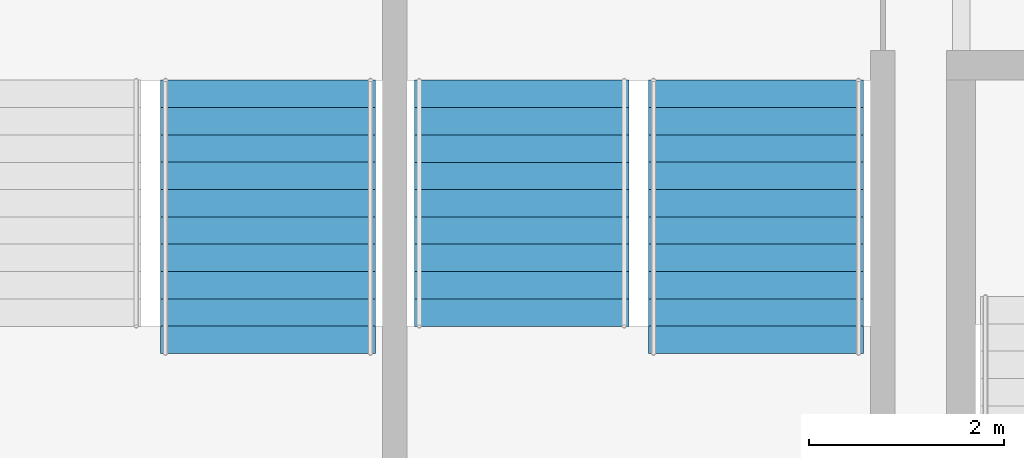
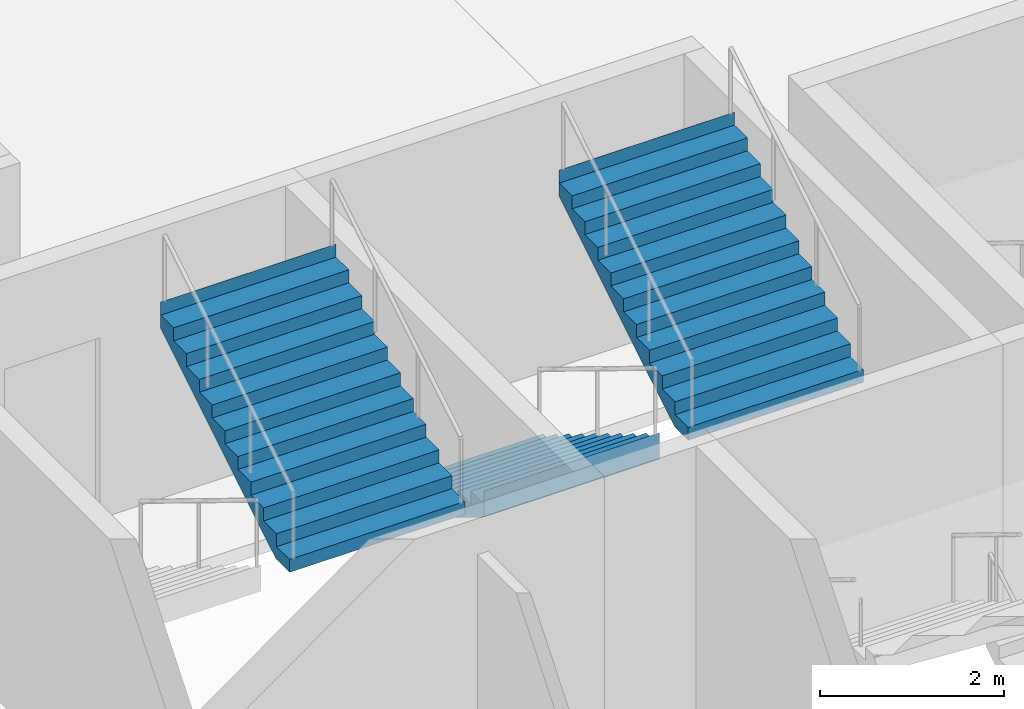
# One storey, part 93 of 143: 3 stair flights, 2 elements without a shape of their own.
"""IFC4 building model written with IfcOpenShell, lengths in metres."""

from ifc_helpers import new_model, si_unit, direction, frame, origin, place, context, subcontext, project, spatial, polyline, outline, extrude, material, type_object, element, aggregate, save


model = new_model("IFC4")

# Units and contexts
model_context = context("Model", 3, precision=1e-05, world=origin(), true_north=direction((0.0, 1.0)))
body_context = subcontext(model_context, "Body", "Model", "MODEL_VIEW")
ifc_project = project(units=[si_unit("LENGTHUNIT", "METRE"), si_unit("AREAUNIT", "SQUARE_METRE"), si_unit("VOLUMEUNIT", "CUBIC_METRE"), si_unit("PLANEANGLEUNIT", "RADIAN"), si_unit("MASSUNIT", "GRAM", prefix="KILO")], contexts=[model_context])

# Site, building, storey
site_placement = place(None, origin())
site = spatial("IfcSite", under=ifc_project, at=site_placement, CompositionType="ELEMENT")
building_placement = place(site_placement, origin())
building = spatial("IfcBuilding", under=site, at=building_placement, Name="Kupolbacken Congress Centre", CompositionType="ELEMENT")
storey_placement = place(building_placement, frame((0.0, 0.0, 7.199951171875)))
storey = spatial("IfcBuildingStorey", under=building, at=storey_placement, Name="L02", CompositionType="ELEMENT", Elevation=7.199951171875)

# Stair, stair flight
ifc_material_1 = material(Name="Concrete C30/37", Category="concrete")
stair_type = type_object("IfcStairType", Name="ST13 stair 2200", PredefinedType="TWO_STRAIGHT_RUN_STAIR", material=ifc_material_1)
stair_1_placement = place(storey_placement, origin())
stair_1 = element("IfcStair", 1, at=stair_1_placement, inside=storey, type_object=stair_type, Name="C/stair/PS2SE/L02", PredefinedType="NOTDEFINED")
ifc_material_2 = material(Name="Concrete C30/37", Category="concrete")
stair_flight_type_1 = type_object("IfcStairFlightType", Name="FL13 stair flight 2200 x 10 risers", PredefinedType="STRAIGHT", material=ifc_material_2)
stair_flight_1_placement = place(storey_placement, frame((74.699951171875, 55.544921875, 0.0), z_axis=(0.0, 0.0, 1.0), x_axis=(0.0, -1.0, 0.0)))
stair_flight_1 = element("IfcStairFlight", 2, at=stair_flight_1_placement, type_object=stair_flight_type_1, Name="PS2SE flight 1", NumberOfRisers=10, NumberOfTreads=9, PredefinedType="STRAIGHT", RiserHeight=0.171428571, TreadLength=0.28, context=body_context, shape_type="SweptSolid", body=[
    extrude(outline(polyline([(0.0, 0.0), (0.0, 0.0009765625), (0.0, 0.002197265625), (0.0, 0.003173828125), (0.0, 0.004150390625), (0.0, 0.00537109375), (0.0, 0.00634765625), (0.0, 0.007568359375), (0.0, 0.008544921875), (0.0, 0.009521484375), (0.0, 0.0107421875), (0.0, 0.01171875), (0.0, 0.0126953125), (0.0, 0.013916015625), (0.0, 0.014892578125), (0.0, 0.015869140625), (0.0, 0.01708984375), (0.0, 0.01806640625), (0.0, 0.019287109375), (0.0, 0.020263671875), (0.0, 0.021240234375), (0.0, 0.0224609375), (0.0, 0.0234375), (0.0, 0.0244140625), (0.0, 0.025634765625), (0.0, 0.026611328125), (0.0, 0.027587890625), (0.0, 0.02880859375), (0.0, 0.02978515625), (0.0, 0.03076171875), (0.0, 0.031982421875), (0.0, 0.032958984375), (0.0, 0.0341796875), (0.0, 0.03515625), (0.0, 0.0361328125), (0.0, 0.037353515625), (0.0, 0.038330078125), (0.0, 0.039306640625), (0.0, 0.04052734375), (0.0, 0.04150390625), (0.0, 0.04248046875), (0.0, 0.043701171875), (0.0, 0.044677734375), (0.0, 0.0458984375), (0.0, 0.046875), (0.0, 0.0478515625), (0.0, 0.049072265625), (0.0, 0.050048828125), (0.0, 0.051025390625), (0.0, 0.05224609375), (0.0, 0.05322265625), (0.0, 0.05419921875), (0.0, 0.055419921875), (0.0, 0.056396484375), (0.0, 0.0576171875), (0.0, 0.05859375), (0.0, 0.0595703125), (0.0, 0.060791015625), (0.0, 0.061767578125), (0.0, 0.062744140625), (0.0, 0.06396484375), (0.0, 0.06494140625), (0.0, 0.06591796875), (0.0, 0.067138671875), (0.0, 0.068115234375), (0.0, 0.069091796875), (0.0, 0.0703125), (0.0, 0.0712890625), (0.0, 0.072509765625), (0.0, 0.073486328125), (0.0, 0.074462890625), (0.0, 0.07568359375), (0.0, 0.07666015625), (0.0, 0.07763671875), (0.0, 0.078857421875), (0.0, 0.079833984375), (0.0, 0.080810546875), (0.0, 0.08203125), (0.0, 0.0830078125), (0.0, 0.084228515625), (0.0, 0.085205078125), (0.0, 0.086181640625), (0.0, 0.08740234375), (0.0, 0.08837890625), (0.0, 0.08935546875), (0.0, 0.090576171875), (0.0, 0.091552734375), (0.0, 0.092529296875), (0.0, 0.09375), (0.0, 0.0947265625), (0.0, 0.095947265625), (0.0, 0.096923828125), (0.0, 0.097900390625), (0.0, 0.09912109375), (0.0, 0.10009765625), (0.0, 0.10107421875), (0.0, 0.102294921875), (0.0, 0.103271484375), (0.0, 0.104248046875), (0.0, 0.10546875), (0.0, 0.1064453125), (0.0, 0.107421875), (0.0, 0.108642578125), (0.0, 0.109619140625), (0.0, 0.11083984375), (0.0, 0.11181640625), (0.0, 0.11279296875), (0.0, 0.114013671875), (0.0, 0.114990234375), (0.0, 0.115966796875), (0.0, 0.1171875), (0.0, 0.1181640625), (0.0, 0.119140625), (0.0, 0.120361328125), (0.0, 0.121337890625), (0.0, 0.12255859375), (0.0, 0.12353515625), (0.0, 0.12451171875), (0.0, 0.125732421875), (0.0, 0.126708984375), (0.0, 0.127685546875), (0.0, 0.12890625), (0.0, 0.1298828125), (0.0, 0.130859375), (0.0, 0.132080078125), (0.0, 0.133056640625), (0.0, 0.13427734375), (0.0, 0.13525390625), (0.0, 0.13623046875), (0.0, 0.137451171875), (0.0, 0.138427734375), (0.0, 0.139404296875), (0.0, 0.140625), (0.0, 0.1416015625), (0.0, 0.142578125), (0.0, 0.143798828125), (0.0, 0.144775390625), (0.0, 0.145751953125), (0.0, 0.14697265625), (0.0, 0.14794921875), (0.0, 0.149169921875), (0.0, 0.150146484375), (0.0, 0.151123046875), (0.0, 0.15234375), (0.0, 0.1533203125), (0.0, 0.154296875), (0.0, 0.155517578125), (0.0, 0.156494140625), (0.0, 0.157470703125), (0.0, 0.15869140625), (0.0, 0.15966796875), (0.0, 0.160888671875), (0.0, 0.161865234375), (0.0, 0.162841796875), (0.0, 0.1640625), (0.0, 0.1650390625), (0.0, 0.166015625), (0.0, 0.167236328125), (0.0, 0.168212890625), (0.0, 0.169189453125), (0.0, 0.17041015625), (0.0, 0.17138671875), (0.280029296875, 0.17138671875), (0.280029296875, 0.3427734375), (0.56005859375, 0.3427734375), (0.56005859375, 0.514404296875), (0.840087890625, 0.514404296875), (0.840087890625, 0.685791015625), (1.1201171875, 0.685791015625), (1.1201171875, 0.857177734375), (1.39990234375, 0.857177734375), (1.39990234375, 1.028564453125), (1.679931640625, 1.028564453125), (1.679931640625, 1.199951171875), (1.9599609375, 1.199951171875), (1.9599609375, 1.371337890625), (2.239990234375, 1.371337890625), (2.239990234375, 1.54296875), (2.52001953125, 1.54296875), (2.52001953125, 1.71435546875), (2.52197265625, 1.71435546875), (2.52197265625, 1.712158203125), (2.52197265625, 1.7099609375), (2.52197265625, 1.707763671875), (2.52197265625, 1.70556640625), (2.52197265625, 1.70361328125), (2.52197265625, 1.701416015625), (2.52197265625, 1.69921875), (2.52197265625, 1.697021484375), (2.52197265625, 1.69482421875), (2.52197265625, 1.692626953125), (2.52197265625, 1.690673828125), (2.52197265625, 1.6884765625), (2.52197265625, 1.686279296875), (2.52197265625, 1.68408203125), (2.52197265625, 1.681884765625), (2.52197265625, 1.6796875), (2.52197265625, 1.677734375), (2.52197265625, 1.675537109375), (2.52197265625, 1.67333984375), (2.52197265625, 1.671142578125), (2.52197265625, 1.6689453125), (2.52197265625, 1.666748046875), (2.52197265625, 1.664794921875), (2.52197265625, 1.66259765625), (2.52197265625, 1.660400390625), (2.52197265625, 1.658203125), (2.52197265625, 1.656005859375), (2.52197265625, 1.65380859375), (2.52197265625, 1.65185546875), (2.52197265625, 1.649658203125), (2.52197265625, 1.6474609375), (2.52197265625, 1.645263671875), (2.52197265625, 1.64306640625), (2.52197265625, 1.640869140625), (2.52197265625, 1.638916015625), (2.52197265625, 1.63671875), (2.52197265625, 1.634521484375), (2.52197265625, 1.63232421875), (2.52197265625, 1.630126953125), (2.52197265625, 1.6279296875), (2.52197265625, 1.6259765625), (2.52197265625, 1.623779296875), (2.52197265625, 1.62158203125), (2.52197265625, 1.619384765625), (2.52197265625, 1.6171875), (2.52197265625, 1.614990234375), (2.52197265625, 1.613037109375), (2.52197265625, 1.61083984375), (2.52197265625, 1.608642578125), (2.52197265625, 1.6064453125), (2.52197265625, 1.604248046875), (2.52197265625, 1.60205078125), (2.52197265625, 1.60009765625), (2.52197265625, 1.597900390625), (2.52197265625, 1.595703125), (2.52197265625, 1.593505859375), (2.52197265625, 1.59130859375), (2.52197265625, 1.589111328125), (2.52197265625, 1.587158203125), (2.52197265625, 1.5849609375), (2.52197265625, 1.582763671875), (2.52197265625, 1.58056640625), (2.52197265625, 1.578369140625), (2.52197265625, 1.576171875), (2.52197265625, 1.57421875), (2.52197265625, 1.572021484375), (2.52197265625, 1.56982421875), (2.52197265625, 1.567626953125), (2.52197265625, 1.5654296875), (2.52197265625, 1.563232421875), (2.52197265625, 1.561279296875), (2.52197265625, 1.55908203125), (2.52197265625, 1.556884765625), (2.52197265625, 1.5546875), (2.52197265625, 1.552490234375), (2.52197265625, 1.55029296875), (2.52197265625, 1.54833984375), (2.52197265625, 1.546142578125), (2.52197265625, 1.5439453125), (2.52197265625, 1.541748046875), (2.52197265625, 1.53955078125), (2.52197265625, 1.537353515625), (2.52197265625, 1.535400390625), (2.52197265625, 1.533203125), (2.52197265625, 1.531005859375), (2.52197265625, 1.52880859375), (2.52197265625, 1.526611328125), (2.52197265625, 1.5244140625), (2.52197265625, 1.5224609375), (2.52197265625, 1.520263671875), (2.52197265625, 1.51806640625), (2.52197265625, 1.515869140625), (2.52197265625, 1.513671875), (2.52197265625, 1.511474609375), (2.52197265625, 1.509521484375), (2.52197265625, 1.50732421875), (2.52197265625, 1.505126953125), (2.52197265625, 1.5029296875), (2.52197265625, 1.500732421875), (2.52197265625, 1.49853515625), (2.52197265625, 1.49658203125), (2.52197265625, 1.494384765625), (2.52197265625, 1.4921875), (2.52197265625, 1.489990234375), (2.52197265625, 1.48779296875), (2.52197265625, 1.485595703125), (2.52197265625, 1.483642578125), (2.52197265625, 1.4814453125), (2.52197265625, 1.479248046875), (2.52197265625, 1.47705078125), (2.52197265625, 1.474853515625), (2.52197265625, 1.47265625), (2.52197265625, 1.470703125), (2.52197265625, 1.468505859375), (2.52197265625, 1.46630859375), (2.52197265625, 1.464111328125), (2.52197265625, 1.4619140625), (2.52197265625, 1.459716796875), (2.52197265625, 1.457763671875), (2.52197265625, 1.45556640625), (2.52197265625, 1.453369140625), (2.52197265625, 1.451171875), (2.52197265625, 1.448974609375), (2.52197265625, 1.44677734375), (2.52197265625, 1.44482421875), (2.52197265625, 1.442626953125), (2.52197265625, 1.4404296875), (2.52197265625, 1.438232421875), (2.52197265625, 1.43603515625), (2.52197265625, 1.433837890625), (2.52197265625, 1.431884765625), (2.52197265625, 1.4296875), (2.52197265625, 1.427490234375), (2.52197265625, 1.42529296875), (2.52197265625, 1.423095703125), (2.52197265625, 1.4208984375), (2.52197265625, 1.4189453125), (2.52197265625, 1.416748046875), (2.52197265625, 1.41455078125), (2.52197265625, 1.412353515625), (2.52197265625, 1.41015625), (2.52197265625, 1.407958984375), (2.52197265625, 1.406005859375), (2.52197265625, 1.40380859375), (2.52197265625, 1.401611328125), (2.52197265625, 1.3994140625), (2.52197265625, 1.397216796875), (2.52197265625, 1.39501953125), (2.52197265625, 1.39306640625), (2.52197265625, 1.390869140625), (2.52197265625, 1.388671875), (2.52197265625, 1.386474609375), (2.52197265625, 1.38427734375), (2.52197265625, 1.382080078125), (2.52197265625, 1.380126953125), (2.52197265625, 1.3779296875), (2.52197265625, 1.375732421875), (2.52197265625, 1.37353515625), (2.52197265625, 1.371337890625), (2.52197265625, 1.369140625), (2.52197265625, 1.3671875), (0.2890625, 0.0), (0.0, 0.0)])), frame((0.0, 1.10009765625, 0.0), z_axis=(0.0, -1.0, 0.0), x_axis=(1.0, 0.0, 0.0)), (0.0, 0.0, 1.0), 2.199951171875),
])

stair_2_placement = place(storey_placement, origin())
stair_2 = element("IfcStair", 3, at=stair_2_placement, inside=storey, type_object=stair_type, Name="C/stair/PS1SE/L02", PredefinedType="NOTDEFINED")
ifc_material_3 = material(Name="Concrete C30/37", Category="concrete")
stair_flight_type_2 = type_object("IfcStairFlightType", Name="FL14 stair flight 2200 x 11 risers", PredefinedType="STRAIGHT", material=ifc_material_3)
stair_flight_2_placement = place(storey_placement, frame((72.10009765625, 52.7451171875, 1.71435546875), z_axis=(0.0, 0.0, 1.0), x_axis=(0.0, 1.0, 0.0)))
stair_flight_2 = element("IfcStairFlight", 4, at=stair_flight_2_placement, type_object=stair_flight_type_2, Name="PS1SE flight 2", NumberOfRisers=11, NumberOfTreads=10, PredefinedType="STRAIGHT", RiserHeight=0.171428571, TreadLength=0.28, context=body_context, shape_type="SweptSolid", body=[
    extrude(outline(polyline([(0.0, 0.0), (0.0, 0.0009765625), (0.0, 0.002197265625), (0.0, 0.003173828125), (0.0, 0.004150390625), (0.0, 0.00537109375), (0.0, 0.00634765625), (0.0, 0.007568359375), (0.0, 0.008544921875), (0.0, 0.009521484375), (0.0, 0.0107421875), (0.0, 0.01171875), (0.0, 0.0126953125), (0.0, 0.013916015625), (0.0, 0.014892578125), (0.0, 0.015869140625), (0.0, 0.01708984375), (0.0, 0.01806640625), (0.0, 0.019287109375), (0.0, 0.020263671875), (0.0, 0.021240234375), (0.0, 0.0224609375), (0.0, 0.0234375), (0.0, 0.0244140625), (0.0, 0.025634765625), (0.0, 0.026611328125), (0.0, 0.027587890625), (0.0, 0.02880859375), (0.0, 0.02978515625), (0.0, 0.03076171875), (0.0, 0.031982421875), (0.0, 0.032958984375), (0.0, 0.0341796875), (0.0, 0.03515625), (0.0, 0.0361328125), (0.0, 0.037353515625), (0.0, 0.038330078125), (0.0, 0.039306640625), (0.0, 0.04052734375), (0.0, 0.04150390625), (0.0, 0.04248046875), (0.0, 0.043701171875), (0.0, 0.044677734375), (0.0, 0.0458984375), (0.0, 0.046875), (0.0, 0.0478515625), (0.0, 0.049072265625), (0.0, 0.050048828125), (0.0, 0.051025390625), (0.0, 0.05224609375), (0.0, 0.05322265625), (0.0, 0.05419921875), (0.0, 0.055419921875), (0.0, 0.056396484375), (0.0, 0.0576171875), (0.0, 0.05859375), (0.0, 0.0595703125), (0.0, 0.060791015625), (0.0, 0.061767578125), (0.0, 0.062744140625), (0.0, 0.06396484375), (0.0, 0.06494140625), (0.0, 0.06591796875), (0.0, 0.067138671875), (0.0, 0.068115234375), (0.0, 0.069091796875), (0.0, 0.0703125), (0.0, 0.0712890625), (0.0, 0.072509765625), (0.0, 0.073486328125), (0.0, 0.074462890625), (0.0, 0.07568359375), (0.0, 0.07666015625), (0.0, 0.07763671875), (0.0, 0.078857421875), (0.0, 0.079833984375), (0.0, 0.080810546875), (0.0, 0.08203125), (0.0, 0.0830078125), (0.0, 0.084228515625), (0.0, 0.085205078125), (0.0, 0.086181640625), (0.0, 0.08740234375), (0.0, 0.08837890625), (0.0, 0.08935546875), (0.0, 0.090576171875), (0.0, 0.091552734375), (0.0, 0.092529296875), (0.0, 0.09375), (0.0, 0.0947265625), (0.0, 0.095947265625), (0.0, 0.096923828125), (0.0, 0.097900390625), (0.0, 0.09912109375), (0.0, 0.10009765625), (0.0, 0.10107421875), (0.0, 0.102294921875), (0.0, 0.103271484375), (0.0, 0.104248046875), (0.0, 0.10546875), (0.0, 0.1064453125), (0.0, 0.107421875), (0.0, 0.108642578125), (0.0, 0.109619140625), (0.0, 0.11083984375), (0.0, 0.11181640625), (0.0, 0.11279296875), (0.0, 0.114013671875), (0.0, 0.114990234375), (0.0, 0.115966796875), (0.0, 0.1171875), (0.0, 0.1181640625), (0.0, 0.119140625), (0.0, 0.120361328125), (0.0, 0.121337890625), (0.0, 0.12255859375), (0.0, 0.12353515625), (0.0, 0.12451171875), (0.0, 0.125732421875), (0.0, 0.126708984375), (0.0, 0.127685546875), (0.0, 0.12890625), (0.0, 0.1298828125), (0.0, 0.130859375), (0.0, 0.132080078125), (0.0, 0.133056640625), (0.0, 0.13427734375), (0.0, 0.13525390625), (0.0, 0.13623046875), (0.0, 0.137451171875), (0.0, 0.138427734375), (0.0, 0.139404296875), (0.0, 0.140625), (0.0, 0.1416015625), (0.0, 0.142578125), (0.0, 0.143798828125), (0.0, 0.144775390625), (0.0, 0.145751953125), (0.0, 0.14697265625), (0.0, 0.14794921875), (0.0, 0.149169921875), (0.0, 0.150146484375), (0.0, 0.151123046875), (0.0, 0.15234375), (0.0, 0.1533203125), (0.0, 0.154296875), (0.0, 0.155517578125), (0.0, 0.156494140625), (0.0, 0.157470703125), (0.0, 0.15869140625), (0.0, 0.15966796875), (0.0, 0.160888671875), (0.0, 0.161865234375), (0.0, 0.162841796875), (0.0, 0.1640625), (0.0, 0.1650390625), (0.0, 0.166015625), (0.0, 0.167236328125), (0.0, 0.168212890625), (0.0, 0.169189453125), (0.0, 0.17041015625), (0.0, 0.17138671875), (0.280029296875, 0.17138671875), (0.280029296875, 0.3427734375), (0.56005859375, 0.3427734375), (0.56005859375, 0.514404296875), (0.840087890625, 0.514404296875), (0.840087890625, 0.685791015625), (1.1201171875, 0.685791015625), (1.1201171875, 0.857177734375), (1.39990234375, 0.857177734375), (1.39990234375, 1.028564453125), (1.679931640625, 1.028564453125), (1.679931640625, 1.199951171875), (1.9599609375, 1.199951171875), (1.9599609375, 1.371337890625), (2.239990234375, 1.371337890625), (2.239990234375, 1.54296875), (2.52001953125, 1.54296875), (2.52001953125, 1.71435546875), (2.800048828125, 1.71435546875), (2.800048828125, 1.8857421875), (2.802001953125, 1.8857421875), (2.802001953125, 1.883544921875), (2.802001953125, 1.88134765625), (2.802001953125, 1.879150390625), (2.802001953125, 1.877197265625), (2.802001953125, 1.875), (2.802001953125, 1.872802734375), (2.802001953125, 1.87060546875), (2.802001953125, 1.868408203125), (2.802001953125, 1.8662109375), (2.802001953125, 1.8642578125), (2.802001953125, 1.862060546875), (2.802001953125, 1.85986328125), (2.802001953125, 1.857666015625), (2.802001953125, 1.85546875), (2.802001953125, 1.853271484375), (2.802001953125, 1.851318359375), (2.802001953125, 1.84912109375), (2.802001953125, 1.846923828125), (2.802001953125, 1.8447265625), (2.802001953125, 1.842529296875), (2.802001953125, 1.84033203125), (2.802001953125, 1.83837890625), (2.802001953125, 1.836181640625), (2.802001953125, 1.833984375), (2.802001953125, 1.831787109375), (2.802001953125, 1.82958984375), (2.802001953125, 1.827392578125), (2.802001953125, 1.825439453125), (2.802001953125, 1.8232421875), (2.802001953125, 1.821044921875), (2.802001953125, 1.81884765625), (2.802001953125, 1.816650390625), (2.802001953125, 1.814453125), (2.802001953125, 1.8125), (2.802001953125, 1.810302734375), (2.802001953125, 1.80810546875), (2.802001953125, 1.805908203125), (2.802001953125, 1.8037109375), (2.802001953125, 1.801513671875), (2.802001953125, 1.799560546875), (2.802001953125, 1.79736328125), (2.802001953125, 1.795166015625), (2.802001953125, 1.79296875), (2.802001953125, 1.790771484375), (2.802001953125, 1.78857421875), (2.802001953125, 1.78662109375), (2.802001953125, 1.784423828125), (2.802001953125, 1.7822265625), (2.802001953125, 1.780029296875), (2.802001953125, 1.77783203125), (2.802001953125, 1.775634765625), (2.802001953125, 1.773681640625), (2.802001953125, 1.771484375), (2.802001953125, 1.769287109375), (2.802001953125, 1.76708984375), (2.802001953125, 1.764892578125), (2.802001953125, 1.7626953125), (2.802001953125, 1.7607421875), (2.802001953125, 1.758544921875), (2.802001953125, 1.75634765625), (2.802001953125, 1.754150390625), (2.802001953125, 1.751953125), (2.802001953125, 1.749755859375), (2.802001953125, 1.747802734375), (2.802001953125, 1.74560546875), (2.802001953125, 1.743408203125), (2.802001953125, 1.7412109375), (2.802001953125, 1.739013671875), (2.802001953125, 1.73681640625), (2.802001953125, 1.73486328125), (2.802001953125, 1.732666015625), (2.802001953125, 1.73046875), (2.802001953125, 1.728271484375), (2.802001953125, 1.72607421875), (2.802001953125, 1.723876953125), (2.802001953125, 1.721923828125), (2.802001953125, 1.7197265625), (2.802001953125, 1.717529296875), (2.802001953125, 1.71533203125), (2.802001953125, 1.713134765625), (2.802001953125, 1.7109375), (2.802001953125, 1.708984375), (2.802001953125, 1.706787109375), (2.802001953125, 1.70458984375), (2.802001953125, 1.702392578125), (2.802001953125, 1.7001953125), (2.802001953125, 1.697998046875), (2.802001953125, 1.696044921875), (2.802001953125, 1.69384765625), (2.802001953125, 1.691650390625), (2.802001953125, 1.689453125), (2.802001953125, 1.687255859375), (2.802001953125, 1.68505859375), (2.802001953125, 1.68310546875), (2.802001953125, 1.680908203125), (2.802001953125, 1.6787109375), (2.802001953125, 1.676513671875), (2.802001953125, 1.67431640625), (2.802001953125, 1.672119140625), (2.802001953125, 1.670166015625), (2.802001953125, 1.66796875), (2.802001953125, 1.665771484375), (2.802001953125, 1.66357421875), (2.802001953125, 1.661376953125), (2.802001953125, 1.6591796875), (2.802001953125, 1.6572265625), (2.802001953125, 1.655029296875), (2.802001953125, 1.65283203125), (2.802001953125, 1.650634765625), (2.802001953125, 1.6484375), (2.802001953125, 1.646240234375), (2.802001953125, 1.644287109375), (2.802001953125, 1.64208984375), (2.802001953125, 1.639892578125), (2.802001953125, 1.6376953125), (2.802001953125, 1.635498046875), (2.802001953125, 1.63330078125), (2.802001953125, 1.63134765625), (2.802001953125, 1.629150390625), (2.802001953125, 1.626953125), (2.802001953125, 1.624755859375), (2.802001953125, 1.62255859375), (2.802001953125, 1.620361328125), (2.802001953125, 1.618408203125), (2.802001953125, 1.6162109375), (2.802001953125, 1.614013671875), (2.802001953125, 1.61181640625), (2.802001953125, 1.609619140625), (2.802001953125, 1.607421875), (2.802001953125, 1.60546875), (2.802001953125, 1.603271484375), (2.802001953125, 1.60107421875), (2.802001953125, 1.598876953125), (2.802001953125, 1.5966796875), (2.802001953125, 1.594482421875), (2.802001953125, 1.592529296875), (2.802001953125, 1.59033203125), (2.802001953125, 1.588134765625), (2.802001953125, 1.5859375), (2.802001953125, 1.583740234375), (2.802001953125, 1.58154296875), (2.802001953125, 1.57958984375), (2.802001953125, 1.577392578125), (2.802001953125, 1.5751953125), (2.802001953125, 1.572998046875), (2.802001953125, 1.57080078125), (2.802001953125, 1.568603515625), (2.802001953125, 1.566650390625), (2.802001953125, 1.564453125), (2.802001953125, 1.562255859375), (2.802001953125, 1.56005859375), (2.802001953125, 1.557861328125), (2.802001953125, 1.5556640625), (2.802001953125, 1.5537109375), (2.802001953125, 1.551513671875), (2.802001953125, 1.54931640625), (2.802001953125, 1.547119140625), (2.802001953125, 1.544921875), (2.802001953125, 1.542724609375), (2.802001953125, 1.540771484375), (2.802001953125, 1.53857421875), (0.2890625, 0.0), (0.0, 0.0)])), frame((0.0, 1.10009765625, 0.0), z_axis=(0.0, -1.0, 0.0), x_axis=(1.0, 0.0, 0.0)), (0.0, 0.0, 1.0), 2.199951171875),
])
aggregate(stair_2, [stair_flight_2])

# Stair flight
stair_flight_3_placement = place(storey_placement, frame((77.10009765625, 52.7451171875, 1.71435546875), z_axis=(0.0, 0.0, 1.0), x_axis=(0.0, 1.0, 0.0)))
stair_flight_3 = element("IfcStairFlight", 5, at=stair_flight_3_placement, type_object=stair_flight_type_2, Name="PS2SE flight 2", NumberOfRisers=11, NumberOfTreads=10, PredefinedType="STRAIGHT", RiserHeight=0.171428571, TreadLength=0.28, context=body_context, shape_type="SweptSolid", body=[
    extrude(outline(polyline([(0.0, 0.0), (0.0, 0.0009765625), (0.0, 0.002197265625), (0.0, 0.003173828125), (0.0, 0.004150390625), (0.0, 0.00537109375), (0.0, 0.00634765625), (0.0, 0.007568359375), (0.0, 0.008544921875), (0.0, 0.009521484375), (0.0, 0.0107421875), (0.0, 0.01171875), (0.0, 0.0126953125), (0.0, 0.013916015625), (0.0, 0.014892578125), (0.0, 0.015869140625), (0.0, 0.01708984375), (0.0, 0.01806640625), (0.0, 0.019287109375), (0.0, 0.020263671875), (0.0, 0.021240234375), (0.0, 0.0224609375), (0.0, 0.0234375), (0.0, 0.0244140625), (0.0, 0.025634765625), (0.0, 0.026611328125), (0.0, 0.027587890625), (0.0, 0.02880859375), (0.0, 0.02978515625), (0.0, 0.03076171875), (0.0, 0.031982421875), (0.0, 0.032958984375), (0.0, 0.0341796875), (0.0, 0.03515625), (0.0, 0.0361328125), (0.0, 0.037353515625), (0.0, 0.038330078125), (0.0, 0.039306640625), (0.0, 0.04052734375), (0.0, 0.04150390625), (0.0, 0.04248046875), (0.0, 0.043701171875), (0.0, 0.044677734375), (0.0, 0.0458984375), (0.0, 0.046875), (0.0, 0.0478515625), (0.0, 0.049072265625), (0.0, 0.050048828125), (0.0, 0.051025390625), (0.0, 0.05224609375), (0.0, 0.05322265625), (0.0, 0.05419921875), (0.0, 0.055419921875), (0.0, 0.056396484375), (0.0, 0.0576171875), (0.0, 0.05859375), (0.0, 0.0595703125), (0.0, 0.060791015625), (0.0, 0.061767578125), (0.0, 0.062744140625), (0.0, 0.06396484375), (0.0, 0.06494140625), (0.0, 0.06591796875), (0.0, 0.067138671875), (0.0, 0.068115234375), (0.0, 0.069091796875), (0.0, 0.0703125), (0.0, 0.0712890625), (0.0, 0.072509765625), (0.0, 0.073486328125), (0.0, 0.074462890625), (0.0, 0.07568359375), (0.0, 0.07666015625), (0.0, 0.07763671875), (0.0, 0.078857421875), (0.0, 0.079833984375), (0.0, 0.080810546875), (0.0, 0.08203125), (0.0, 0.0830078125), (0.0, 0.084228515625), (0.0, 0.085205078125), (0.0, 0.086181640625), (0.0, 0.08740234375), (0.0, 0.08837890625), (0.0, 0.08935546875), (0.0, 0.090576171875), (0.0, 0.091552734375), (0.0, 0.092529296875), (0.0, 0.09375), (0.0, 0.0947265625), (0.0, 0.095947265625), (0.0, 0.096923828125), (0.0, 0.097900390625), (0.0, 0.09912109375), (0.0, 0.10009765625), (0.0, 0.10107421875), (0.0, 0.102294921875), (0.0, 0.103271484375), (0.0, 0.104248046875), (0.0, 0.10546875), (0.0, 0.1064453125), (0.0, 0.107421875), (0.0, 0.108642578125), (0.0, 0.109619140625), (0.0, 0.11083984375), (0.0, 0.11181640625), (0.0, 0.11279296875), (0.0, 0.114013671875), (0.0, 0.114990234375), (0.0, 0.115966796875), (0.0, 0.1171875), (0.0, 0.1181640625), (0.0, 0.119140625), (0.0, 0.120361328125), (0.0, 0.121337890625), (0.0, 0.12255859375), (0.0, 0.12353515625), (0.0, 0.12451171875), (0.0, 0.125732421875), (0.0, 0.126708984375), (0.0, 0.127685546875), (0.0, 0.12890625), (0.0, 0.1298828125), (0.0, 0.130859375), (0.0, 0.132080078125), (0.0, 0.133056640625), (0.0, 0.13427734375), (0.0, 0.13525390625), (0.0, 0.13623046875), (0.0, 0.137451171875), (0.0, 0.138427734375), (0.0, 0.139404296875), (0.0, 0.140625), (0.0, 0.1416015625), (0.0, 0.142578125), (0.0, 0.143798828125), (0.0, 0.144775390625), (0.0, 0.145751953125), (0.0, 0.14697265625), (0.0, 0.14794921875), (0.0, 0.149169921875), (0.0, 0.150146484375), (0.0, 0.151123046875), (0.0, 0.15234375), (0.0, 0.1533203125), (0.0, 0.154296875), (0.0, 0.155517578125), (0.0, 0.156494140625), (0.0, 0.157470703125), (0.0, 0.15869140625), (0.0, 0.15966796875), (0.0, 0.160888671875), (0.0, 0.161865234375), (0.0, 0.162841796875), (0.0, 0.1640625), (0.0, 0.1650390625), (0.0, 0.166015625), (0.0, 0.167236328125), (0.0, 0.168212890625), (0.0, 0.169189453125), (0.0, 0.17041015625), (0.0, 0.17138671875), (0.280029296875, 0.17138671875), (0.280029296875, 0.3427734375), (0.56005859375, 0.3427734375), (0.56005859375, 0.514404296875), (0.840087890625, 0.514404296875), (0.840087890625, 0.685791015625), (1.1201171875, 0.685791015625), (1.1201171875, 0.857177734375), (1.39990234375, 0.857177734375), (1.39990234375, 1.028564453125), (1.679931640625, 1.028564453125), (1.679931640625, 1.199951171875), (1.9599609375, 1.199951171875), (1.9599609375, 1.371337890625), (2.239990234375, 1.371337890625), (2.239990234375, 1.54296875), (2.52001953125, 1.54296875), (2.52001953125, 1.71435546875), (2.800048828125, 1.71435546875), (2.800048828125, 1.8857421875), (2.802001953125, 1.8857421875), (2.802001953125, 1.883544921875), (2.802001953125, 1.88134765625), (2.802001953125, 1.879150390625), (2.802001953125, 1.877197265625), (2.802001953125, 1.875), (2.802001953125, 1.872802734375), (2.802001953125, 1.87060546875), (2.802001953125, 1.868408203125), (2.802001953125, 1.8662109375), (2.802001953125, 1.8642578125), (2.802001953125, 1.862060546875), (2.802001953125, 1.85986328125), (2.802001953125, 1.857666015625), (2.802001953125, 1.85546875), (2.802001953125, 1.853271484375), (2.802001953125, 1.851318359375), (2.802001953125, 1.84912109375), (2.802001953125, 1.846923828125), (2.802001953125, 1.8447265625), (2.802001953125, 1.842529296875), (2.802001953125, 1.84033203125), (2.802001953125, 1.83837890625), (2.802001953125, 1.836181640625), (2.802001953125, 1.833984375), (2.802001953125, 1.831787109375), (2.802001953125, 1.82958984375), (2.802001953125, 1.827392578125), (2.802001953125, 1.825439453125), (2.802001953125, 1.8232421875), (2.802001953125, 1.821044921875), (2.802001953125, 1.81884765625), (2.802001953125, 1.816650390625), (2.802001953125, 1.814453125), (2.802001953125, 1.8125), (2.802001953125, 1.810302734375), (2.802001953125, 1.80810546875), (2.802001953125, 1.805908203125), (2.802001953125, 1.8037109375), (2.802001953125, 1.801513671875), (2.802001953125, 1.799560546875), (2.802001953125, 1.79736328125), (2.802001953125, 1.795166015625), (2.802001953125, 1.79296875), (2.802001953125, 1.790771484375), (2.802001953125, 1.78857421875), (2.802001953125, 1.78662109375), (2.802001953125, 1.784423828125), (2.802001953125, 1.7822265625), (2.802001953125, 1.780029296875), (2.802001953125, 1.77783203125), (2.802001953125, 1.775634765625), (2.802001953125, 1.773681640625), (2.802001953125, 1.771484375), (2.802001953125, 1.769287109375), (2.802001953125, 1.76708984375), (2.802001953125, 1.764892578125), (2.802001953125, 1.7626953125), (2.802001953125, 1.7607421875), (2.802001953125, 1.758544921875), (2.802001953125, 1.75634765625), (2.802001953125, 1.754150390625), (2.802001953125, 1.751953125), (2.802001953125, 1.749755859375), (2.802001953125, 1.747802734375), (2.802001953125, 1.74560546875), (2.802001953125, 1.743408203125), (2.802001953125, 1.7412109375), (2.802001953125, 1.739013671875), (2.802001953125, 1.73681640625), (2.802001953125, 1.73486328125), (2.802001953125, 1.732666015625), (2.802001953125, 1.73046875), (2.802001953125, 1.728271484375), (2.802001953125, 1.72607421875), (2.802001953125, 1.723876953125), (2.802001953125, 1.721923828125), (2.802001953125, 1.7197265625), (2.802001953125, 1.717529296875), (2.802001953125, 1.71533203125), (2.802001953125, 1.713134765625), (2.802001953125, 1.7109375), (2.802001953125, 1.708984375), (2.802001953125, 1.706787109375), (2.802001953125, 1.70458984375), (2.802001953125, 1.702392578125), (2.802001953125, 1.7001953125), (2.802001953125, 1.697998046875), (2.802001953125, 1.696044921875), (2.802001953125, 1.69384765625), (2.802001953125, 1.691650390625), (2.802001953125, 1.689453125), (2.802001953125, 1.687255859375), (2.802001953125, 1.68505859375), (2.802001953125, 1.68310546875), (2.802001953125, 1.680908203125), (2.802001953125, 1.6787109375), (2.802001953125, 1.676513671875), (2.802001953125, 1.67431640625), (2.802001953125, 1.672119140625), (2.802001953125, 1.670166015625), (2.802001953125, 1.66796875), (2.802001953125, 1.665771484375), (2.802001953125, 1.66357421875), (2.802001953125, 1.661376953125), (2.802001953125, 1.6591796875), (2.802001953125, 1.6572265625), (2.802001953125, 1.655029296875), (2.802001953125, 1.65283203125), (2.802001953125, 1.650634765625), (2.802001953125, 1.6484375), (2.802001953125, 1.646240234375), (2.802001953125, 1.644287109375), (2.802001953125, 1.64208984375), (2.802001953125, 1.639892578125), (2.802001953125, 1.6376953125), (2.802001953125, 1.635498046875), (2.802001953125, 1.63330078125), (2.802001953125, 1.63134765625), (2.802001953125, 1.629150390625), (2.802001953125, 1.626953125), (2.802001953125, 1.624755859375), (2.802001953125, 1.62255859375), (2.802001953125, 1.620361328125), (2.802001953125, 1.618408203125), (2.802001953125, 1.6162109375), (2.802001953125, 1.614013671875), (2.802001953125, 1.61181640625), (2.802001953125, 1.609619140625), (2.802001953125, 1.607421875), (2.802001953125, 1.60546875), (2.802001953125, 1.603271484375), (2.802001953125, 1.60107421875), (2.802001953125, 1.598876953125), (2.802001953125, 1.5966796875), (2.802001953125, 1.594482421875), (2.802001953125, 1.592529296875), (2.802001953125, 1.59033203125), (2.802001953125, 1.588134765625), (2.802001953125, 1.5859375), (2.802001953125, 1.583740234375), (2.802001953125, 1.58154296875), (2.802001953125, 1.57958984375), (2.802001953125, 1.577392578125), (2.802001953125, 1.5751953125), (2.802001953125, 1.572998046875), (2.802001953125, 1.57080078125), (2.802001953125, 1.568603515625), (2.802001953125, 1.566650390625), (2.802001953125, 1.564453125), (2.802001953125, 1.562255859375), (2.802001953125, 1.56005859375), (2.802001953125, 1.557861328125), (2.802001953125, 1.5556640625), (2.802001953125, 1.5537109375), (2.802001953125, 1.551513671875), (2.802001953125, 1.54931640625), (2.802001953125, 1.547119140625), (2.802001953125, 1.544921875), (2.802001953125, 1.542724609375), (2.802001953125, 1.540771484375), (2.802001953125, 1.53857421875), (0.2890625, 0.0), (0.0, 0.0)])), frame((0.0, 1.10009765625, 0.0), z_axis=(0.0, -1.0, 0.0), x_axis=(1.0, 0.0, 0.0)), (0.0, 0.0, 1.0), 2.199951171875),
])

aggregate(stair_1, [stair_flight_1, stair_flight_3])

save(model, "model.ifc")
